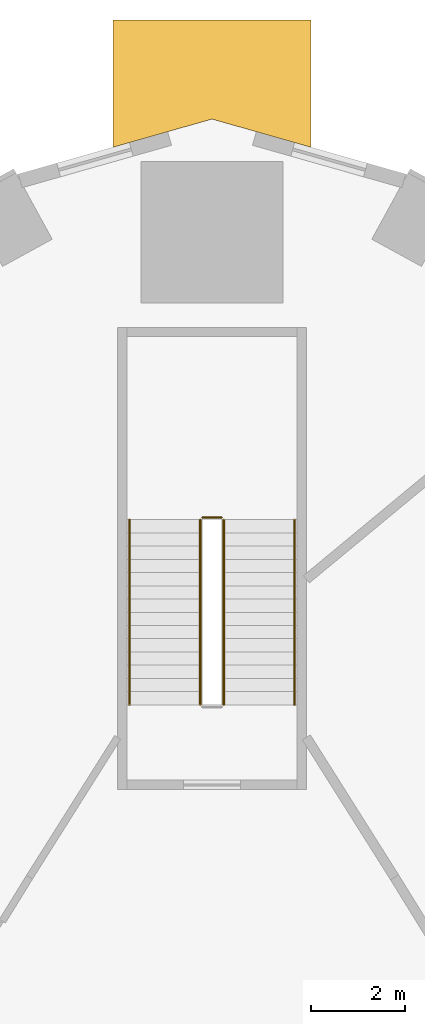
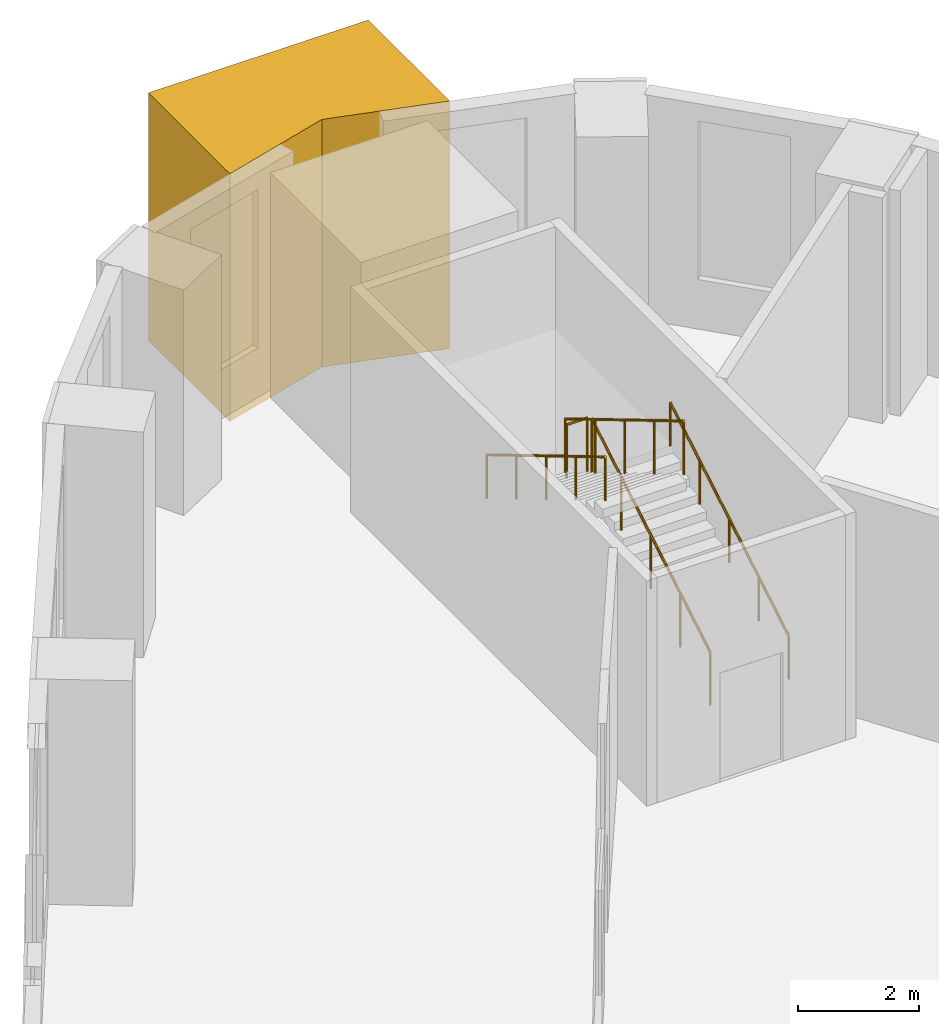
# One storey, part 16 of 16: 5 railings, 1 covering.
"""IFC4 building model written with IfcOpenShell, lengths in metres."""

from ifc_helpers import new_model, si_unit, direction, frame, origin, origin_2d, place, context, subcontext, project, spatial, polyline, circle, outline, extrude, material, type_object, element, save


model = new_model("IFC4")

# Units and contexts
model_context = context("Model", 3, precision=1e-05, world=origin(), true_north=direction((0.0, 1.0)))
body_context = subcontext(model_context, "Body", "Model", "MODEL_VIEW")
ifc_project = project(units=[si_unit("LENGTHUNIT", "METRE"), si_unit("AREAUNIT", "SQUARE_METRE"), si_unit("VOLUMEUNIT", "CUBIC_METRE"), si_unit("PLANEANGLEUNIT", "RADIAN"), si_unit("MASSUNIT", "GRAM", prefix="KILO")], contexts=[model_context])

# Site, building, storey
site_placement = place(None, origin())
site = spatial("IfcSite", under=ifc_project, at=site_placement, CompositionType="ELEMENT")
building_placement = place(site_placement, origin())
building = spatial("IfcBuilding", under=site, at=building_placement, Name="Entoto Arch Interchange Tower", CompositionType="ELEMENT")
storey_placement = place(building_placement, frame((0.0, 0.0, 15.0)))
storey = spatial("IfcBuildingStorey", under=building, at=storey_placement, Name="L02", CompositionType="ELEMENT", Elevation=15.0)

# Covering
ifc_material_1 = material(Name="Board-marked precast concrete C50/60", Category="concrete")
covering_type = type_object("IfcCoveringType", Name="PRECAST FRAME COURSE", PredefinedType="CLADDING", material=ifc_material_1)
covering_placement = place(storey_placement, frame((0.0, 0.0, -0.449951171875)))
element("IfcCovering", 1, at=covering_placement, inside=storey, type_object=covering_type, Name="Podium corner pier N L02", PredefinedType="CLADDING", context=body_context, shape_type="SweptSolid", body=[
    extrude(outline(polyline([(2.10009765625, 49.612060546875), (2.10009765625, 46.916015625), (0.0, 47.511962890625), (-2.10009765625, 46.916015625), (-2.10009765625, 49.612060546875), (2.10009765625, 49.612060546875)])), origin(), (0.0, 0.0, 1.0), 5.0),
])

# Railings
ifc_material_2 = material(Name="Stainless steel 1.4301", Category="steel")
railing_type_1 = type_object("IfcRailingType", Name="STAIR GUARD 1100 STEEL", PredefinedType="GUARDRAIL", material=ifc_material_2)
railing_1_placement = place(storey_placement, frame((0.25, 35.10009765625, 0.166748046875)))
element("IfcRailing", 2, at=railing_1_placement, inside=storey, type_object=railing_type_1, Name="L02 PST-N stair guard 1", PredefinedType="GUARDRAIL", context=body_context, shape_type="SweptSolid", body=[
    extrude(circle(Radius=0.02392578125, at=origin_2d()), frame((0.0, 0.0, 1.076171875), z_axis=(0.0, 0.859296244711, 0.511478214419), x_axis=(-1.0, 0.0, 0.0)), (0.0, 0.0, 1.0), 4.561767578125),
    extrude(circle(Radius=0.02099609375, at=origin_2d()), origin(), (0.0, 0.0, 1.0), 1.052001953125),
    extrude(circle(Radius=0.02099609375, at=origin_2d()), frame((0.0, 0.97998046875, 0.583251953125)), (0.0, 0.0, 1.0), 1.052001953125),
    extrude(circle(Radius=0.02099609375, at=origin_2d()), frame((0.0, 1.9599609375, 1.16650390625)), (0.0, 0.0, 1.0), 1.052001953125),
    extrude(circle(Radius=0.02099609375, at=origin_2d()), frame((0.0, 2.93994140625, 1.75)), (0.0, 0.0, 1.0), 1.052001953125),
    extrude(circle(Radius=0.02099609375, at=origin_2d()), frame((0.0, 3.919921875, 2.333251953125)), (0.0, 0.0, 1.0), 1.052001953125),
])
railing_2_placement = place(storey_placement, frame((0.199951171875, 39.070068359375, 2.5)))
element("IfcRailing", 3, at=railing_2_placement, inside=storey, type_object=railing_type_1, Name="L02 PST-N stair guard 2", PredefinedType="GUARDRAIL", context=body_context, shape_type="SweptSolid", body=[
    extrude(circle(Radius=0.02392578125, at=origin_2d()), frame((0.0, 0.0, 1.076171875), z_axis=(-1.0, 0.0, 0.0), x_axis=(0.0, -1.0, 0.0)), (0.0, 0.0, 1.0), 0.39990234375),
    extrude(circle(Radius=0.02099609375, at=origin_2d()), origin(), (0.0, 0.0, 1.0), 1.052001953125),
    extrude(circle(Radius=0.02099609375, at=origin_2d()), frame((-0.39990234375, 0.0, 0.0)), (0.0, 0.0, 1.0), 1.052001953125),
])
railing_3_placement = place(storey_placement, frame((-0.25, 39.02001953125, 2.666748046875)))
element("IfcRailing", 4, at=railing_3_placement, inside=storey, type_object=railing_type_1, Name="L02 PST-N stair guard 3", PredefinedType="GUARDRAIL", context=body_context, shape_type="SweptSolid", body=[
    extrude(circle(Radius=0.02392578125, at=origin_2d()), frame((0.0, 0.0, 1.076171875), z_axis=(0.0, -0.859296244711, 0.511478214419), x_axis=(1.0, 0.0, 0.0)), (0.0, 0.0, 1.0), 4.561767578125),
    extrude(circle(Radius=0.02099609375, at=origin_2d()), origin(), (0.0, 0.0, 1.0), 1.052001953125),
    extrude(circle(Radius=0.02099609375, at=origin_2d()), frame((0.0, -0.97998046875, 0.583251953125)), (0.0, 0.0, 1.0), 1.052001953125),
    extrude(circle(Radius=0.02099609375, at=origin_2d()), frame((0.0, -1.9599609375, 1.16650390625)), (0.0, 0.0, 1.0), 1.052001953125),
    extrude(circle(Radius=0.02099609375, at=origin_2d()), frame((0.0, -2.93994140625, 1.75)), (0.0, 0.0, 1.0), 1.052001953125),
    extrude(circle(Radius=0.02099609375, at=origin_2d()), frame((0.0, -3.919921875, 2.333251953125)), (0.0, 0.0, 1.0), 1.052001953125),
])
railing_type_2 = type_object("IfcRailingType", Name="STAIR HANDRAIL 900 STEEL", PredefinedType="HANDRAIL", material=ifc_material_2)
railing_4_placement = place(storey_placement, frame((1.75, 35.10009765625, 0.166748046875)))
element("IfcRailing", 5, at=railing_4_placement, inside=storey, type_object=railing_type_2, Name="L02 PST-N stair handrail 1", PredefinedType="HANDRAIL", context=body_context, shape_type="SweptSolid", body=[
    extrude(circle(Radius=0.02392578125, at=origin_2d()), frame((0.0, 0.0, 0.8759765625), z_axis=(0.0, 0.859296244711, 0.511478214419), x_axis=(-1.0, 0.0, 0.0)), (0.0, 0.0, 1.0), 4.561767578125),
    extrude(circle(Radius=0.02099609375, at=origin_2d()), origin(), (0.0, 0.0, 1.0), 0.851806640625),
    extrude(circle(Radius=0.02099609375, at=origin_2d()), frame((0.0, 0.97998046875, 0.583251953125)), (0.0, 0.0, 1.0), 0.851806640625),
    extrude(circle(Radius=0.02099609375, at=origin_2d()), frame((0.0, 1.9599609375, 1.16650390625)), (0.0, 0.0, 1.0), 0.851806640625),
    extrude(circle(Radius=0.02099609375, at=origin_2d()), frame((0.0, 2.93994140625, 1.75)), (0.0, 0.0, 1.0), 0.851806640625),
    extrude(circle(Radius=0.02099609375, at=origin_2d()), frame((0.0, 3.919921875, 2.333251953125)), (0.0, 0.0, 1.0), 0.851806640625),
])
railing_5_placement = place(storey_placement, frame((-1.75, 39.02001953125, 2.666748046875)))
element("IfcRailing", 6, at=railing_5_placement, inside=storey, type_object=railing_type_2, Name="L02 PST-N stair handrail 2", PredefinedType="HANDRAIL", context=body_context, shape_type="SweptSolid", body=[
    extrude(circle(Radius=0.02392578125, at=origin_2d()), frame((0.0, 0.0, 0.8759765625), z_axis=(0.0, -0.859296244711, 0.511478214419), x_axis=(1.0, 0.0, 0.0)), (0.0, 0.0, 1.0), 4.561767578125),
    extrude(circle(Radius=0.02099609375, at=origin_2d()), origin(), (0.0, 0.0, 1.0), 0.851806640625),
    extrude(circle(Radius=0.02099609375, at=origin_2d()), frame((0.0, -0.97998046875, 0.583251953125)), (0.0, 0.0, 1.0), 0.851806640625),
    extrude(circle(Radius=0.02099609375, at=origin_2d()), frame((0.0, -1.9599609375, 1.16650390625)), (0.0, 0.0, 1.0), 0.851806640625),
    extrude(circle(Radius=0.02099609375, at=origin_2d()), frame((0.0, -2.93994140625, 1.75)), (0.0, 0.0, 1.0), 0.851806640625),
    extrude(circle(Radius=0.02099609375, at=origin_2d()), frame((0.0, -3.919921875, 2.333251953125)), (0.0, 0.0, 1.0), 0.851806640625),
])

save(model, "model.ifc")
